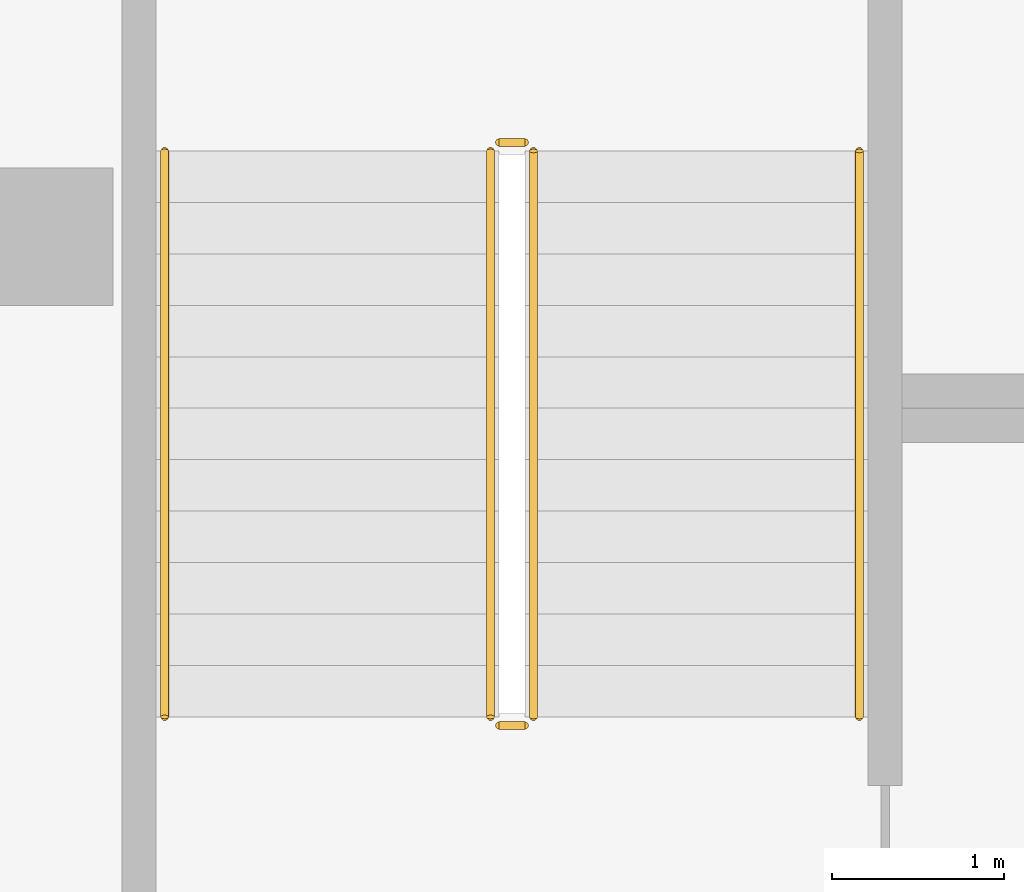
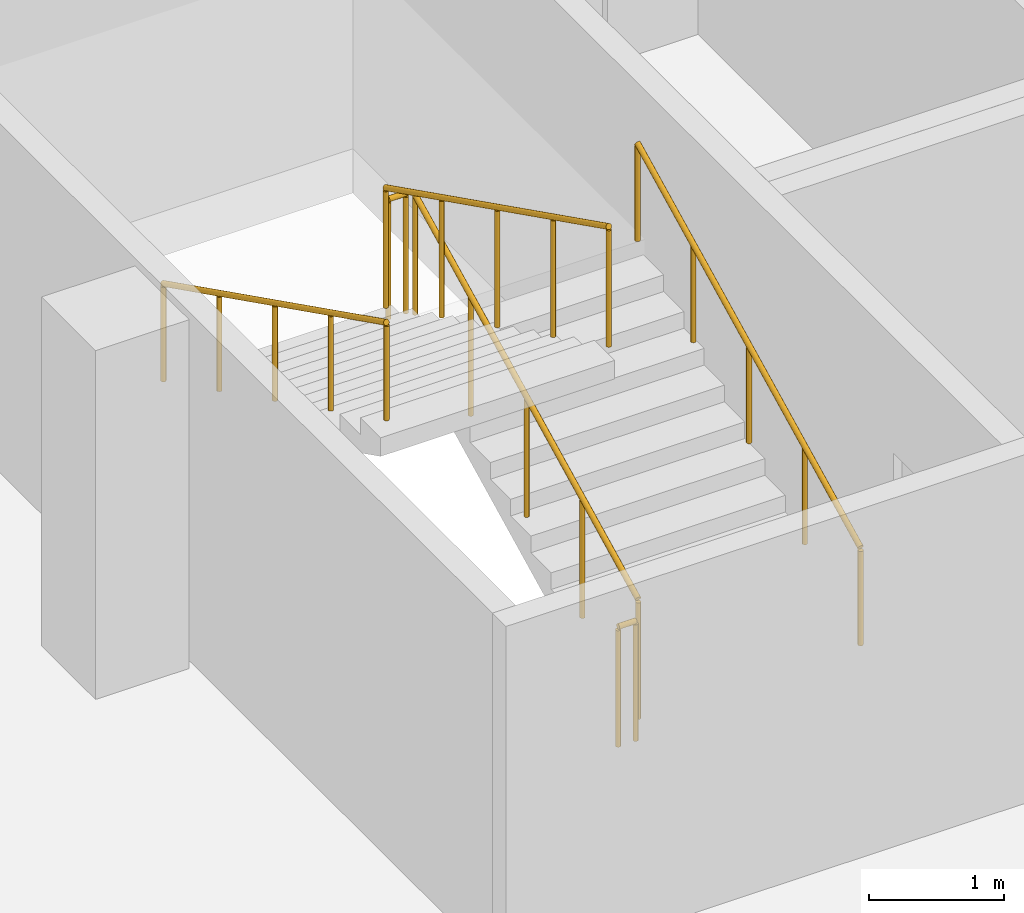
# One storey, part 20 of 37: 6 railings.
"""IFC4 building model written with IfcOpenShell, lengths in metres."""

from ifc_helpers import new_model, si_unit, direction, frame, origin, origin_2d, place, context, subcontext, project, spatial, circle, extrude, material, type_object, element, save


model = new_model("IFC4")

# Units and contexts
model_context = context("Model", 3, precision=1e-05, world=origin(), true_north=direction((0.0, 1.0)))
body_context = subcontext(model_context, "Body", "Model", "MODEL_VIEW")
ifc_project = project(units=[si_unit("LENGTHUNIT", "METRE"), si_unit("AREAUNIT", "SQUARE_METRE"), si_unit("VOLUMEUNIT", "CUBIC_METRE"), si_unit("PLANEANGLEUNIT", "RADIAN"), si_unit("MASSUNIT", "GRAM", prefix="KILO")], contexts=[model_context])

# Site, building, storey
site_placement = place(None, origin())
site = spatial("IfcSite", under=ifc_project, at=site_placement, CompositionType="ELEMENT")
building_placement = place(site_placement, origin())
building = spatial("IfcBuilding", under=site, at=building_placement, Name="Tamra Quay Hotel Tower", CompositionType="ELEMENT")
storey_placement = place(building_placement, frame((0.0, 0.0, -3.60009765625)))
storey = spatial("IfcBuildingStorey", under=building, at=storey_placement, Name="B1", CompositionType="ELEMENT", Elevation=-3.60009765625)

# Railings
ifc_material_1 = material(Name="Basement stair guard 1100")
railing_type_1 = type_object("IfcRailingType", Name="Basement stair guard 1100", PredefinedType="GUARDRAIL", material=ifc_material_1)
railing_1_placement = place(storey_placement, frame((-61.050048828125, -66.800048828125, 0.150146484375)))
element("IfcRailing", 1, at=railing_1_placement, inside=storey, type_object=railing_type_1, Name="BSG", PredefinedType="GUARDRAIL", context=body_context, shape_type="SweptSolid", body=[
    extrude(circle(Radius=0.02392578125, at=origin_2d()), frame((0.0, 0.0, 1.076171875), z_axis=(0.0, 0.894440424912, 0.447187126696), x_axis=(-1.0, 0.0, 0.0)), (0.0, 0.0, 1.0), 3.689453125),
    extrude(circle(Radius=0.02099609375, at=origin_2d()), origin(), (0.0, 0.0, 1.0), 1.052001953125),
    extrude(circle(Radius=0.02099609375, at=origin_2d()), frame((0.0, 0.824951171875, 0.41259765625)), (0.0, 0.0, 1.0), 1.052001953125),
    extrude(circle(Radius=0.02099609375, at=origin_2d()), frame((0.0, 1.64990234375, 0.824951171875)), (0.0, 0.0, 1.0), 1.052001953125),
    extrude(circle(Radius=0.02099609375, at=origin_2d()), frame((0.0, 2.47509765625, 1.2373046875)), (0.0, 0.0, 1.0), 1.052001953125),
    extrude(circle(Radius=0.02099609375, at=origin_2d()), frame((0.0, 3.300048828125, 1.64990234375)), (0.0, 0.0, 1.0), 1.052001953125),
])
railing_2_placement = place(storey_placement, frame((-61.10009765625, -63.449951171875, 1.800048828125)))
element("IfcRailing", 2, at=railing_2_placement, inside=storey, type_object=railing_type_1, Name="BSG", PredefinedType="GUARDRAIL", context=body_context, shape_type="SweptSolid", body=[
    extrude(circle(Radius=0.02392578125, at=origin_2d()), frame((0.0, 0.0, 1.076171875), z_axis=(-1.0, 0.0, 0.0), x_axis=(0.0, -1.0, 0.0)), (0.0, 0.0, 1.0), 0.14990234375),
    extrude(circle(Radius=0.02099609375, at=origin_2d()), origin(), (0.0, 0.0, 1.0), 1.052001953125),
    extrude(circle(Radius=0.02099609375, at=origin_2d()), frame((-0.14990234375, 0.0, 0.0)), (0.0, 0.0, 1.0), 1.052001953125),
])
railing_3_placement = place(storey_placement, frame((-61.300048828125, -63.5, 1.9501953125)))
element("IfcRailing", 3, at=railing_3_placement, inside=storey, type_object=railing_type_1, Name="BSG", PredefinedType="GUARDRAIL", context=body_context, shape_type="SweptSolid", body=[
    extrude(circle(Radius=0.02392578125, at=origin_2d()), frame((0.0, 0.0, 1.076171875), z_axis=(0.0, -0.894440424912, 0.447187126696), x_axis=(1.0, 0.0, 0.0)), (0.0, 0.0, 1.0), 3.689453125),
    extrude(circle(Radius=0.02099609375, at=origin_2d()), origin(), (0.0, 0.0, 1.0), 1.052001953125),
    extrude(circle(Radius=0.02099609375, at=origin_2d()), frame((0.0, -0.824951171875, 0.41259765625)), (0.0, 0.0, 1.0), 1.052001953125),
    extrude(circle(Radius=0.02099609375, at=origin_2d()), frame((0.0, -1.64990234375, 0.824951171875)), (0.0, 0.0, 1.0), 1.052001953125),
    extrude(circle(Radius=0.02099609375, at=origin_2d()), frame((0.0, -2.47509765625, 1.2373046875)), (0.0, 0.0, 1.0), 1.052001953125),
    extrude(circle(Radius=0.02099609375, at=origin_2d()), frame((0.0, -3.300048828125, 1.64990234375)), (0.0, 0.0, 1.0), 1.052001953125),
])
railing_4_placement = place(storey_placement, frame((-61.10009765625, -66.85009765625, 0.0)))
element("IfcRailing", 4, at=railing_4_placement, inside=storey, type_object=railing_type_1, Name="BSG", PredefinedType="GUARDRAIL", context=body_context, shape_type="SweptSolid", body=[
    extrude(circle(Radius=0.02392578125, at=origin_2d()), frame((0.0, 0.0, 1.076171875), z_axis=(-1.0, 0.0, 0.0), x_axis=(0.0, -1.0, 0.0)), (0.0, 0.0, 1.0), 0.14990234375),
    extrude(circle(Radius=0.02099609375, at=origin_2d()), origin(), (0.0, 0.0, 1.0), 1.052001953125),
    extrude(circle(Radius=0.02099609375, at=origin_2d()), frame((-0.14990234375, 0.0, 0.0)), (0.0, 0.0, 1.0), 1.052001953125),
])
ifc_material_2 = material(Name="Basement stair handrail 900")
railing_type_2 = type_object("IfcRailingType", Name="Basement stair handrail 900", PredefinedType="HANDRAIL", material=ifc_material_2)
railing_5_placement = place(storey_placement, frame((-59.14990234375, -66.800048828125, 0.150146484375)))
element("IfcRailing", 5, at=railing_5_placement, inside=storey, type_object=railing_type_2, Name="BSH", PredefinedType="HANDRAIL", context=body_context, shape_type="SweptSolid", body=[
    extrude(circle(Radius=0.02392578125, at=origin_2d()), frame((0.0, 0.0, 0.8759765625), z_axis=(0.0, 0.894440424912, 0.447187126696), x_axis=(-1.0, 0.0, 0.0)), (0.0, 0.0, 1.0), 3.689453125),
    extrude(circle(Radius=0.02099609375, at=origin_2d()), origin(), (0.0, 0.0, 1.0), 0.851806640625),
    extrude(circle(Radius=0.02099609375, at=origin_2d()), frame((0.0, 0.824951171875, 0.41259765625)), (0.0, 0.0, 1.0), 0.851806640625),
    extrude(circle(Radius=0.02099609375, at=origin_2d()), frame((0.0, 1.64990234375, 0.824951171875)), (0.0, 0.0, 1.0), 0.851806640625),
    extrude(circle(Radius=0.02099609375, at=origin_2d()), frame((0.0, 2.47509765625, 1.2373046875)), (0.0, 0.0, 1.0), 0.851806640625),
    extrude(circle(Radius=0.02099609375, at=origin_2d()), frame((0.0, 3.300048828125, 1.64990234375)), (0.0, 0.0, 1.0), 0.851806640625),
])
railing_6_placement = place(storey_placement, frame((-63.199951171875, -63.5, 1.9501953125)))
element("IfcRailing", 6, at=railing_6_placement, inside=storey, type_object=railing_type_2, Name="BSH", PredefinedType="HANDRAIL", context=body_context, shape_type="SweptSolid", body=[
    extrude(circle(Radius=0.02392578125, at=origin_2d()), frame((0.0, 0.0, 0.8759765625), z_axis=(0.0, -0.894440424912, 0.447187126696), x_axis=(1.0, 0.0, 0.0)), (0.0, 0.0, 1.0), 3.689453125),
    extrude(circle(Radius=0.02099609375, at=origin_2d()), origin(), (0.0, 0.0, 1.0), 0.851806640625),
    extrude(circle(Radius=0.02099609375, at=origin_2d()), frame((0.0, -0.824951171875, 0.41259765625)), (0.0, 0.0, 1.0), 0.851806640625),
    extrude(circle(Radius=0.02099609375, at=origin_2d()), frame((0.0, -1.64990234375, 0.824951171875)), (0.0, 0.0, 1.0), 0.851806640625),
    extrude(circle(Radius=0.02099609375, at=origin_2d()), frame((0.0, -2.47509765625, 1.2373046875)), (0.0, 0.0, 1.0), 0.851806640625),
    extrude(circle(Radius=0.02099609375, at=origin_2d()), frame((0.0, -3.300048828125, 1.64990234375)), (0.0, 0.0, 1.0), 0.851806640625),
])

save(model, "model.ifc")
